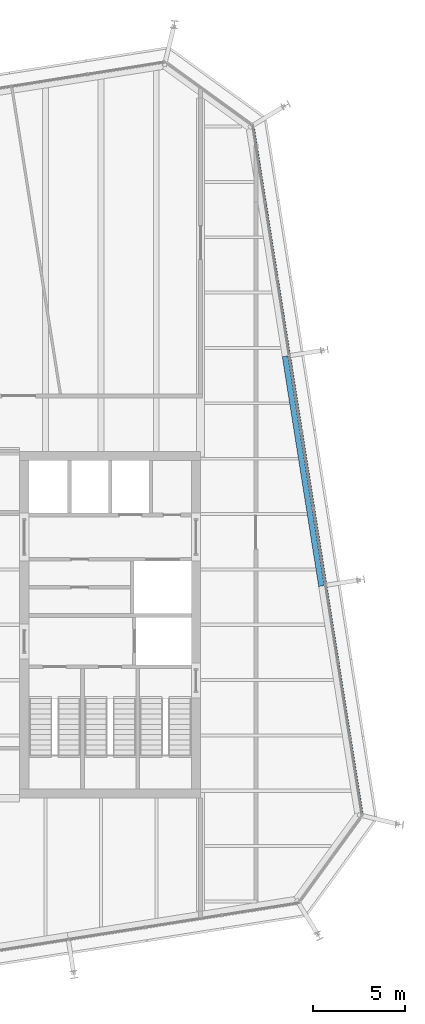
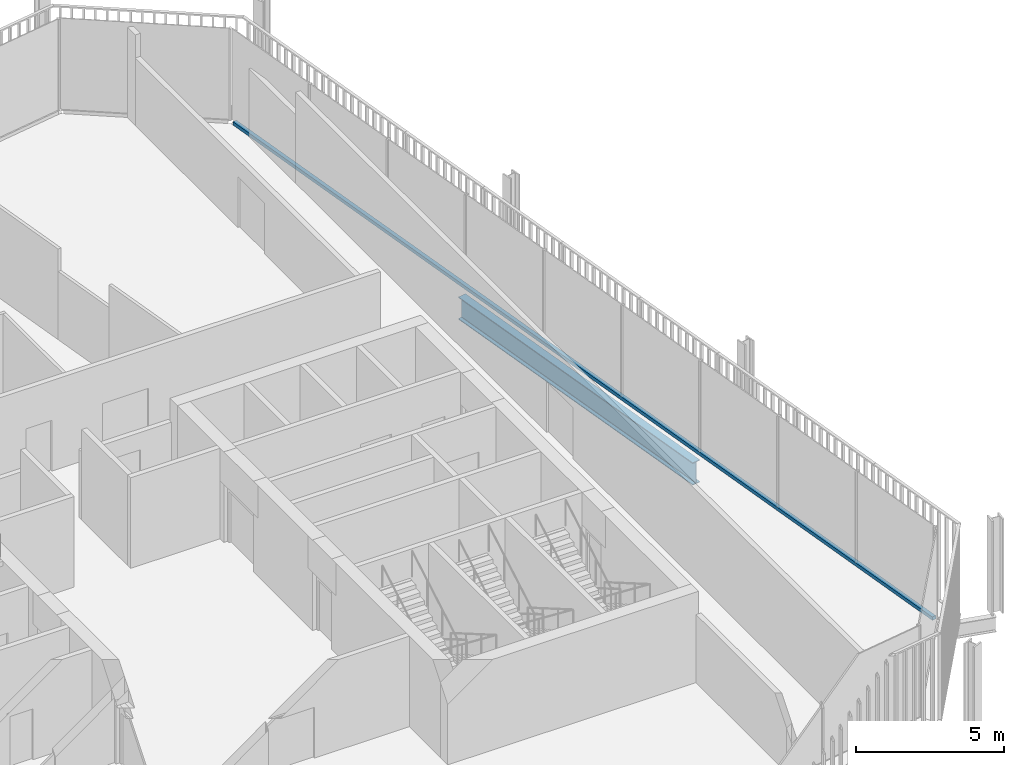
# One storey, part 9 of 20: 1 beam, 1 member, 1 element without a shape of its own.
"""IFC4 building model written with IfcOpenShell, lengths in metres."""

from ifc_helpers import new_model, si_unit, direction, frame, origin, origin_2d, place, context, subcontext, project, spatial, rectangle, i_section, extrude, material, layer, layer_set, material_profile, profile_set, type_object, element, aggregate, save


model = new_model("IFC4")

# Units and contexts
model_context = context("Model", 3, precision=1e-05, world=origin(), true_north=direction((0.0, 1.0)))
body_context = subcontext(model_context, "Body", "Model", "MODEL_VIEW")
ifc_project = project(units=[si_unit("LENGTHUNIT", "METRE"), si_unit("AREAUNIT", "SQUARE_METRE"), si_unit("VOLUMEUNIT", "CUBIC_METRE"), si_unit("PLANEANGLEUNIT", "RADIAN"), si_unit("MASSUNIT", "GRAM", prefix="KILO")], contexts=[model_context])

# Site, building, storey
site_placement = place(None, origin())
site = spatial("IfcSite", under=ifc_project, at=site_placement, CompositionType="ELEMENT")
building_placement = place(site_placement, origin())
building = spatial("IfcBuilding", under=site, at=building_placement, Name="Millrace Tower", CompositionType="ELEMENT")
storey_placement = place(building_placement, frame((0.0, 0.0, 208.60009765625)))
storey = spatial("IfcBuildingStorey", under=building, at=storey_placement, Name="L47", CompositionType="ELEMENT", Elevation=208.60009765625)

# Curtain wall, member
ifc_material_1 = material(Name="Aluminium and glass", Category="aluminium")
ifc_layer = layer(ifc_material_1, 0.14990234375)
ifc_layer_set = layer_set([ifc_layer], Name="Aluminium and glass")
curtain_wall_type = type_object("IfcCurtainWallType", Name="CW-1 office vision curtain wall", PredefinedType="NOTDEFINED", material=ifc_layer_set)
curtain_wall_placement = place(storey_placement, origin())
curtain_wall = element("IfcCurtainWall", 1, at=curtain_wall_placement, inside=storey, type_object=curtain_wall_type, Name="Curtain wall D-F04 L47", PredefinedType="NOTDEFINED")
ifc_material_2 = material(Name="Aluminium", Category="aluminium")
ifc_material_profile_1 = material_profile(ifc_material_2, rectangle(XDim=0.14990234375, YDim=0.139892578125, at=origin_2d()))
ifc_profile_set_1 = profile_set([ifc_material_profile_1], Name="Aluminium")
member_type = type_object("IfcMemberType", Name="CW-1 office vision curtain wall transom", PredefinedType="USERDEFINED", material=ifc_profile_set_1)
member_placement = place(storey_placement, frame((23.1318359375, -10.208740234375, 0.06982421875), z_axis=(-0.156432359726, 0.987688674042, 0.0), x_axis=(-0.987688674042, -0.156432359726, 0.0)))
member = element("IfcMember", 2, at=member_placement, type_object=member_type, Name="CW1 transom D-F04.1", ObjectType="TRANSOM", PredefinedType="USERDEFINED", context=body_context, shape_type="SweptSolid", body=[
    extrude(rectangle(XDim=0.14990234375, YDim=0.139892578125, at=origin_2d()), origin(), (0.0, 0.0, 1.0), 37.599853515625),
])
aggregate(curtain_wall, [member])

# Beam
ifc_material_3 = material(Name="Steel ASTM A992 Grade 50", Category="steel")
ifc_material_profile_2 = material_profile(ifc_material_3, i_section(OverallWidth=0.307373046875, OverallDepth=0.927001953125, WebThickness=0.01953125, FlangeThickness=0.031982421875, FilletRadius=0.01904296875, at=origin_2d()))
ifc_profile_set_2 = profile_set([ifc_material_profile_2], Name="Steel ASTM A992 Grade 50")
beam_type = type_object("IfcBeamType", Name="Ring beam medium span W36x194", PredefinedType="SPANDREL", material=ifc_profile_set_2)
beam_placement = place(storey_placement, frame((18.9794921875, 14.54638671875, -0.62353515625), z_axis=(0.1564441342, -0.987686809102, 0.0), x_axis=(0.987686809102, 0.1564441342, 0.0)))
element("IfcBeam", 3, at=beam_placement, inside=storey, type_object=beam_type, Name="RNG-D-L47-S1-10", PredefinedType="SPANDREL", context=body_context, shape_type="SweptSolid", body=[
    extrude(i_section(OverallWidth=0.307373046875, OverallDepth=0.927001953125, WebThickness=0.01953125, FlangeThickness=0.031982421875, FilletRadius=0.01904296875, at=origin_2d()), origin(), (0.0, 0.0, 1.0), 12.599853515625),
])

save(model, "model.ifc")
